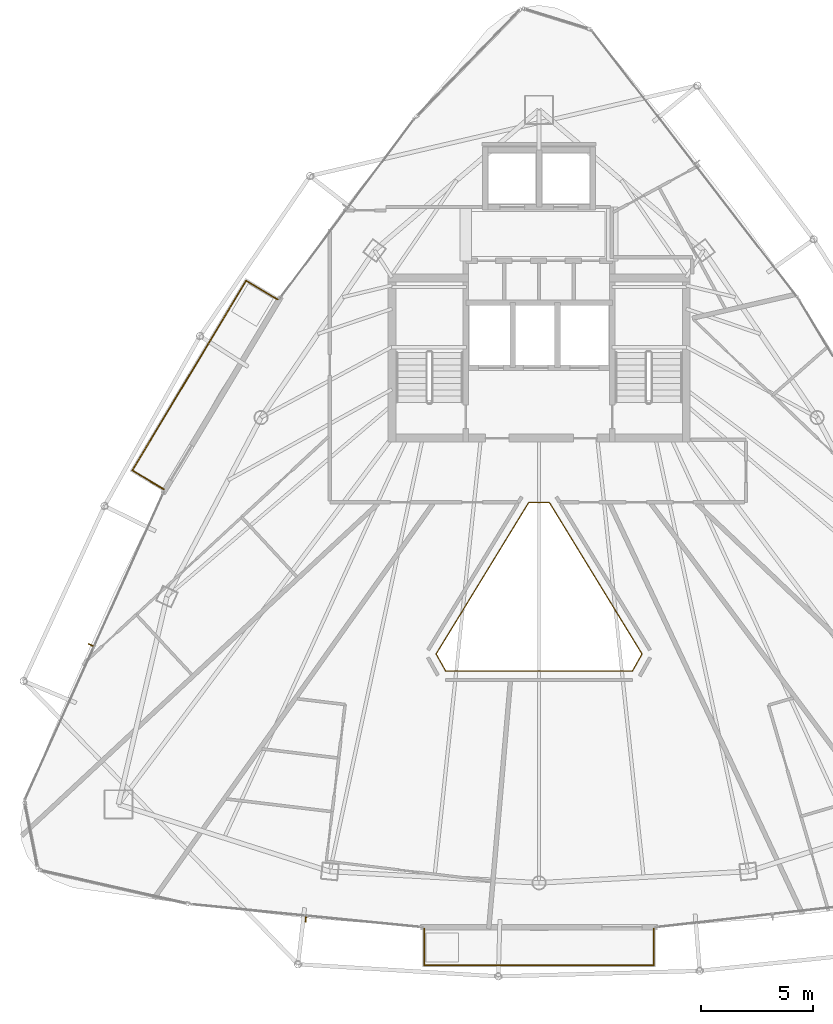
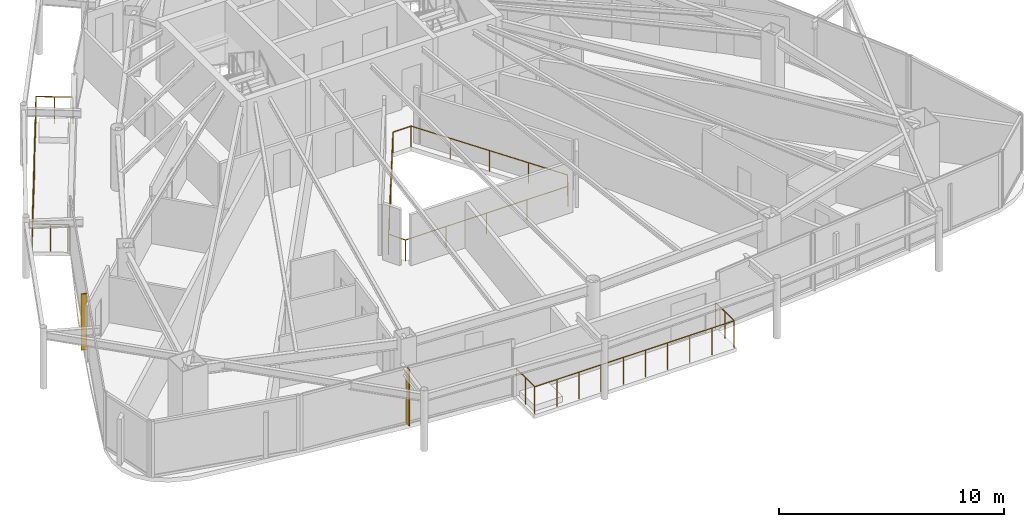
# One storey, part 30 of 32: 3 railings, 2 shading devices.
"""IFC4 building model written with IfcOpenShell, lengths in metres."""

from ifc_helpers import new_model, si_unit, direction, frame, origin, origin_2d, place, context, subcontext, project, spatial, rectangle, circle, extrude, material, layer, layer_set, type_object, element, save


model = new_model("IFC4")

# Units and contexts
model_context = context("Model", 3, precision=1e-05, world=origin(), true_north=direction((0.0, 1.0)))
body_context = subcontext(model_context, "Body", "Model", "MODEL_VIEW")
ifc_project = project(units=[si_unit("LENGTHUNIT", "METRE"), si_unit("AREAUNIT", "SQUARE_METRE"), si_unit("VOLUMEUNIT", "CUBIC_METRE"), si_unit("PLANEANGLEUNIT", "RADIAN"), si_unit("MASSUNIT", "GRAM", prefix="KILO")], contexts=[model_context])

# Site, building, storey
site_placement = place(None, origin())
site = spatial("IfcSite", under=ifc_project, at=site_placement, CompositionType="ELEMENT")
building_placement = place(site_placement, origin())
building = spatial("IfcBuilding", under=site, at=building_placement, Name="Orvanel Arch Residences", CompositionType="ELEMENT")
storey_placement = place(building_placement, frame((0.0, 0.0, 219.5)))
storey = spatial("IfcBuildingStorey", under=building, at=storey_placement, Name="L62", CompositionType="ELEMENT", Elevation=219.5)

# Shading devices
ifc_material = material(Name="Bronze-anodised aluminium AA6063-T6", Category="aluminium")
ifc_layer = layer(ifc_material, 0.050048828125)
ifc_layer_set = layer_set([ifc_layer], Name="Bronze-anodised aluminium AA6063-T6")
shading_device_type = type_object("IfcShadingDeviceType", Name="FIN-BRZ-260", PredefinedType="USERDEFINED", material=ifc_layer_set)
for number, where, z_axis, x_axis, name in (
    (1, (12.970947265625, 17.47607421875, 0.0), (0.0, 0.0, 1.0), (-0.911403276635, 0.411514358605, 0.0), "L62 Anodised Bronze Mullion FIN 01"),
    (2, (22.573974609375, 5.221923828125, 0.0), (0.0, 0.0, 1.0), (-0.099319749744, -0.995055569961, 0.0), "L62 Anodised Bronze Mullion FIN 01"),
):
    element("IfcShadingDevice", number, at=place(storey_placement, frame(where, z_axis=z_axis, x_axis=x_axis)), inside=storey, type_object=shading_device_type, Name=name, ObjectType="FIN", PredefinedType="USERDEFINED", context=body_context, shape_type="SweptSolid", body=[
        extrude(rectangle(XDim=0.260009765625, YDim=0.050048828125, at=origin_2d()), origin(), (0.0, 0.0, 1.0), 3.06005859375),
    ])

# Railings
railing_type_1 = type_object("IfcRailingType", Name="RL-ATR-1150", PredefinedType="BALUSTRADE", material=ifc_material)
railing_1_placement = place(storey_placement, frame((33.466064453125, 23.8369140625, 0.0)))
element("IfcRailing", 3, at=railing_1_placement, inside=storey, type_object=railing_type_1, Name="L62 Atrium Void Protective Balustrade", PredefinedType="BALUSTRADE", context=body_context, shape_type="SweptSolid", body=[
    extrude(circle(Radius=0.02392578125, at=origin_2d()), frame((-0.00146484375, 0.0, 1.1259765625), z_axis=(-1.0, 0.0, 0.0), x_axis=(0.0, -1.0, 0.0)), (0.0, 0.0, 1.0), 0.92919921875),
    extrude(circle(Radius=0.02392578125, at=origin_2d()), frame((-0.932861328125, -0.001220703125, 1.1259765625), z_axis=(-0.521608244305, -0.853185114423, 0.0), x_axis=(0.853185114423, -0.521608244305, 0.0)), (0.0, 0.0, 1.0), 7.922607421875),
    extrude(circle(Radius=0.02392578125, at=origin_2d()), frame((-5.0654296875, -6.76318359375, 1.1259765625), z_axis=(0.489240618961, -0.872148850116, 0.0), x_axis=(0.872148850116, 0.489240618961, 0.0)), (0.0, 0.0, 1.0), 0.871826171875),
    extrude(circle(Radius=0.02392578125, at=origin_2d()), frame((-4.63671875, -7.52490234375, 1.1259765625), z_axis=(1.0, 0.0, 0.0), x_axis=(0.0, 1.0, 0.0)), (0.0, 0.0, 1.0), 8.34130859375),
    extrude(circle(Radius=0.02392578125, at=origin_2d()), frame((3.706787109375, -7.523681640625, 1.1259765625), z_axis=(0.489240618961, 0.872148850116, 0.0), x_axis=(-0.872148850116, 0.489240618961, 0.0)), (0.0, 0.0, 1.0), 0.871826171875),
    extrude(circle(Radius=0.02392578125, at=origin_2d()), frame((4.13330078125, -6.7607421875, 1.1259765625), z_axis=(-0.521608244305, 0.853185114423, 0.0), x_axis=(-0.853185114423, -0.521608244305, 0.0)), (0.0, 0.0, 1.0), 7.922607421875),
    extrude(circle(Radius=0.02099609375, at=origin_2d()), origin(), (0.0, 0.0, 1.0), 1.099853515625),
    extrude(circle(Radius=0.02099609375, at=origin_2d()), frame((-0.93212890625, 0.0, 0.0)), (0.0, 0.0, 1.0), 1.099853515625),
    extrude(circle(Radius=0.02099609375, at=origin_2d()), frame((-1.965576171875, -1.6904296875, 0.0)), (0.0, 0.0, 1.0), 1.099853515625),
    extrude(circle(Radius=0.02099609375, at=origin_2d()), frame((-2.9990234375, -3.380859375, 0.0)), (0.0, 0.0, 1.0), 1.099853515625),
    extrude(circle(Radius=0.02099609375, at=origin_2d()), frame((-4.03271484375, -5.071533203125, 0.0)), (0.0, 0.0, 1.0), 1.099853515625),
    extrude(circle(Radius=0.02099609375, at=origin_2d()), frame((-5.066162109375, -6.761962890625, 0.0)), (0.0, 0.0, 1.0), 1.099853515625),
    extrude(circle(Radius=0.02099609375, at=origin_2d()), frame((-4.63818359375, -7.52490234375, 0.0)), (0.0, 0.0, 1.0), 1.099853515625),
    extrude(circle(Radius=0.02099609375, at=origin_2d()), frame((-2.55224609375, -7.52490234375, 0.0)), (0.0, 0.0, 1.0), 1.099853515625),
    extrude(circle(Radius=0.02099609375, at=origin_2d()), frame((-0.466064453125, -7.52490234375, 0.0)), (0.0, 0.0, 1.0), 1.099853515625),
    extrude(circle(Radius=0.02099609375, at=origin_2d()), frame((1.6201171875, -7.52490234375, 0.0)), (0.0, 0.0, 1.0), 1.099853515625),
    extrude(circle(Radius=0.02099609375, at=origin_2d()), frame((3.7060546875, -7.52490234375, 0.0)), (0.0, 0.0, 1.0), 1.099853515625),
    extrude(circle(Radius=0.02099609375, at=origin_2d()), frame((4.134033203125, -6.761962890625, 0.0)), (0.0, 0.0, 1.0), 1.099853515625),
    extrude(circle(Radius=0.02099609375, at=origin_2d()), frame((3.1005859375, -5.071533203125, 0.0)), (0.0, 0.0, 1.0), 1.099853515625),
    extrude(circle(Radius=0.02099609375, at=origin_2d()), frame((2.06689453125, -3.380859375, 0.0)), (0.0, 0.0, 1.0), 1.099853515625),
    extrude(circle(Radius=0.02099609375, at=origin_2d()), frame((1.033447265625, -1.6904296875, 0.0)), (0.0, 0.0, 1.0), 1.099853515625),
])
railing_type_2 = type_object("IfcRailingType", Name="RL-BAL-1480", PredefinedType="BALUSTRADE", material=ifc_material)
railing_2_placement = place(storey_placement, frame((21.31494140625, 32.919921875, 0.0)))
element("IfcRailing", 4, at=railing_2_placement, inside=storey, type_object=railing_type_2, Name="L62 Balcony Perimeter Guardrail Face 1", PredefinedType="BALUSTRADE", context=body_context, shape_type="SweptSolid", body=[
    extrude(circle(Radius=0.02392578125, at=origin_2d()), frame((-0.001220703125, 0.000732421875, 1.4560546875), z_axis=(-0.857387817543, 0.514670895164, 0.0), x_axis=(-0.514670895164, -0.857387817543, 0.0)), (0.0, 0.0, 1.0), 1.636962890625),
    extrude(circle(Radius=0.02392578125, at=origin_2d()), frame((-1.40673828125, 0.8427734375, 1.4560546875), z_axis=(-0.514401429037, -0.857549514492, 0.0), x_axis=(0.857549514492, -0.514401429037, 0.0)), (0.0, 0.0, 1.0), 9.8935546875),
    extrude(circle(Radius=0.02392578125, at=origin_2d()), frame((-6.49560546875, -7.6435546875, 1.4560546875), z_axis=(0.857545439568, -0.514408222208, 0.0), x_axis=(0.514408222208, 0.857545439568, 0.0)), (0.0, 0.0, 1.0), 1.6376953125),
    extrude(circle(Radius=0.02099609375, at=origin_2d()), origin(), (0.0, 0.0, 1.0), 1.429931640625),
    extrude(circle(Radius=0.02099609375, at=origin_2d()), frame((-0.703125, 0.421875, 0.0)), (0.0, 0.0, 1.0), 1.429931640625),
    extrude(circle(Radius=0.02099609375, at=origin_2d()), frame((-1.406005859375, 0.843994140625, 0.0)), (0.0, 0.0, 1.0), 1.429931640625),
    extrude(circle(Radius=0.02099609375, at=origin_2d()), frame((-1.9716796875, -0.098876953125, 0.0)), (0.0, 0.0, 1.0), 1.429931640625),
    extrude(circle(Radius=0.02099609375, at=origin_2d()), frame((-2.537353515625, -1.0419921875, 0.0)), (0.0, 0.0, 1.0), 1.429931640625),
    extrude(circle(Radius=0.02099609375, at=origin_2d()), frame((-3.10302734375, -1.98486328125, 0.0)), (0.0, 0.0, 1.0), 1.429931640625),
    extrude(circle(Radius=0.02099609375, at=origin_2d()), frame((-3.668701171875, -2.927978515625, 0.0)), (0.0, 0.0, 1.0), 1.429931640625),
    extrude(circle(Radius=0.02099609375, at=origin_2d()), frame((-4.234130859375, -3.870849609375, 0.0)), (0.0, 0.0, 1.0), 1.429931640625),
    extrude(circle(Radius=0.02099609375, at=origin_2d()), frame((-4.7998046875, -4.81396484375, 0.0)), (0.0, 0.0, 1.0), 1.429931640625),
    extrude(circle(Radius=0.02099609375, at=origin_2d()), frame((-5.365478515625, -5.7568359375, 0.0)), (0.0, 0.0, 1.0), 1.429931640625),
    extrude(circle(Radius=0.02099609375, at=origin_2d()), frame((-5.93115234375, -6.699951171875, 0.0)), (0.0, 0.0, 1.0), 1.429931640625),
    extrude(circle(Radius=0.02099609375, at=origin_2d()), frame((-6.496826171875, -7.642822265625, 0.0)), (0.0, 0.0, 1.0), 1.429931640625),
    extrude(circle(Radius=0.02099609375, at=origin_2d()), frame((-5.79345703125, -8.06494140625, 0.0)), (0.0, 0.0, 1.0), 1.429931640625),
    extrude(circle(Radius=0.02099609375, at=origin_2d()), frame((-5.08984375, -8.48681640625, 0.0)), (0.0, 0.0, 1.0), 1.429931640625),
])
railing_3_placement = place(storey_placement, frame((27.8740234375, 4.799072265625, 0.0)))
element("IfcRailing", 5, at=railing_3_placement, inside=storey, type_object=railing_type_2, Name="L62 Balcony Perimeter Guardrail Face 2", PredefinedType="BALUSTRADE", context=body_context, shape_type="SweptSolid", body=[
    extrude(circle(Radius=0.02392578125, at=origin_2d()), frame((0.0, -0.00146484375, 1.4560546875), z_axis=(0.0, -1.0, 0.0), x_axis=(1.0, 0.0, 0.0)), (0.0, 0.0, 1.0), 1.63720703125),
    extrude(circle(Radius=0.02392578125, at=origin_2d()), frame((0.00146484375, -1.64013671875, 1.4560546875), z_axis=(1.0, 0.0, 0.0), x_axis=(0.0, 1.0, 0.0)), (0.0, 0.0, 1.0), 10.2490234375),
    extrude(circle(Radius=0.02392578125, at=origin_2d()), frame((10.251953125, -1.638671875, 1.4560546875), z_axis=(0.0, 1.0, 0.0), x_axis=(-1.0, 0.0, 0.0)), (0.0, 0.0, 1.0), 1.63720703125),
    extrude(circle(Radius=0.02099609375, at=origin_2d()), origin(), (0.0, 0.0, 1.0), 1.429931640625),
    extrude(circle(Radius=0.02099609375, at=origin_2d()), frame((0.0, -0.820068359375, 0.0)), (0.0, 0.0, 1.0), 1.429931640625),
    extrude(circle(Radius=0.02099609375, at=origin_2d()), frame((0.0, -1.64013671875, 0.0)), (0.0, 0.0, 1.0), 1.429931640625),
    extrude(circle(Radius=0.02099609375, at=origin_2d()), frame((1.13916015625, -1.64013671875, 0.0)), (0.0, 0.0, 1.0), 1.429931640625),
    extrude(circle(Radius=0.02099609375, at=origin_2d()), frame((2.2783203125, -1.64013671875, 0.0)), (0.0, 0.0, 1.0), 1.429931640625),
    extrude(circle(Radius=0.02099609375, at=origin_2d()), frame((3.417236328125, -1.64013671875, 0.0)), (0.0, 0.0, 1.0), 1.429931640625),
    extrude(circle(Radius=0.02099609375, at=origin_2d()), frame((4.556396484375, -1.64013671875, 0.0)), (0.0, 0.0, 1.0), 1.429931640625),
    extrude(circle(Radius=0.02099609375, at=origin_2d()), frame((5.695556640625, -1.64013671875, 0.0)), (0.0, 0.0, 1.0), 1.429931640625),
    extrude(circle(Radius=0.02099609375, at=origin_2d()), frame((6.834716796875, -1.64013671875, 0.0)), (0.0, 0.0, 1.0), 1.429931640625),
    extrude(circle(Radius=0.02099609375, at=origin_2d()), frame((7.9736328125, -1.64013671875, 0.0)), (0.0, 0.0, 1.0), 1.429931640625),
    extrude(circle(Radius=0.02099609375, at=origin_2d()), frame((9.11279296875, -1.64013671875, 0.0)), (0.0, 0.0, 1.0), 1.429931640625),
    extrude(circle(Radius=0.02099609375, at=origin_2d()), frame((10.251953125, -1.64013671875, 0.0)), (0.0, 0.0, 1.0), 1.429931640625),
    extrude(circle(Radius=0.02099609375, at=origin_2d()), frame((10.251953125, -0.820068359375, 0.0)), (0.0, 0.0, 1.0), 1.429931640625),
    extrude(circle(Radius=0.02099609375, at=origin_2d()), frame((10.251953125, 0.0, 0.0)), (0.0, 0.0, 1.0), 1.429931640625),
])

save(model, "model.ifc")
